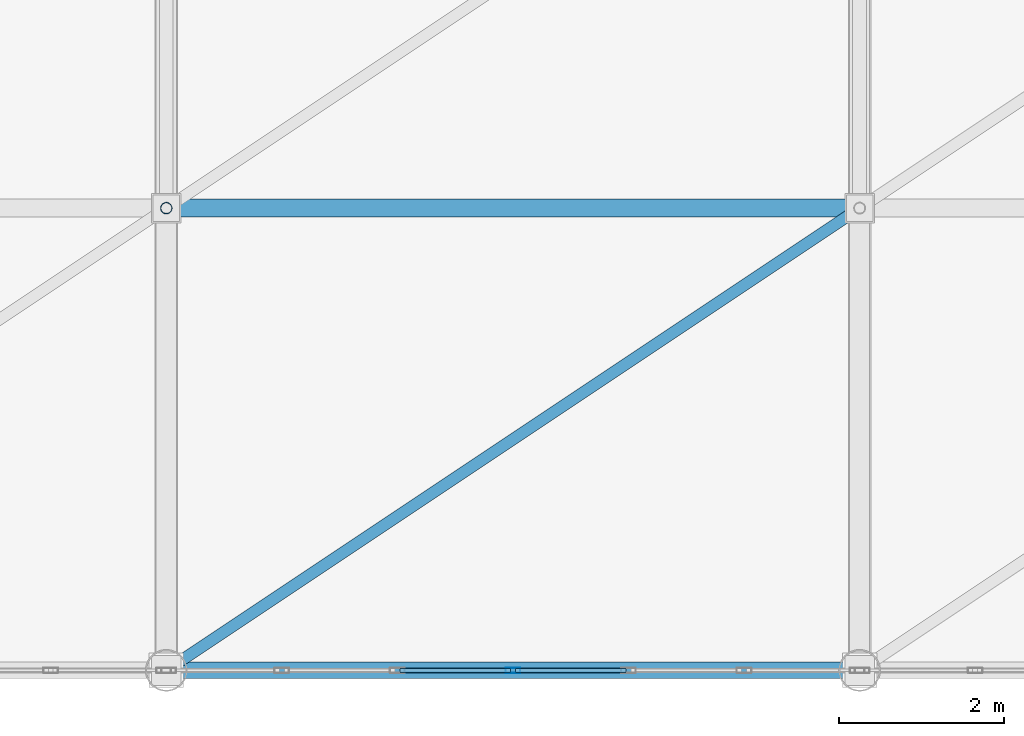
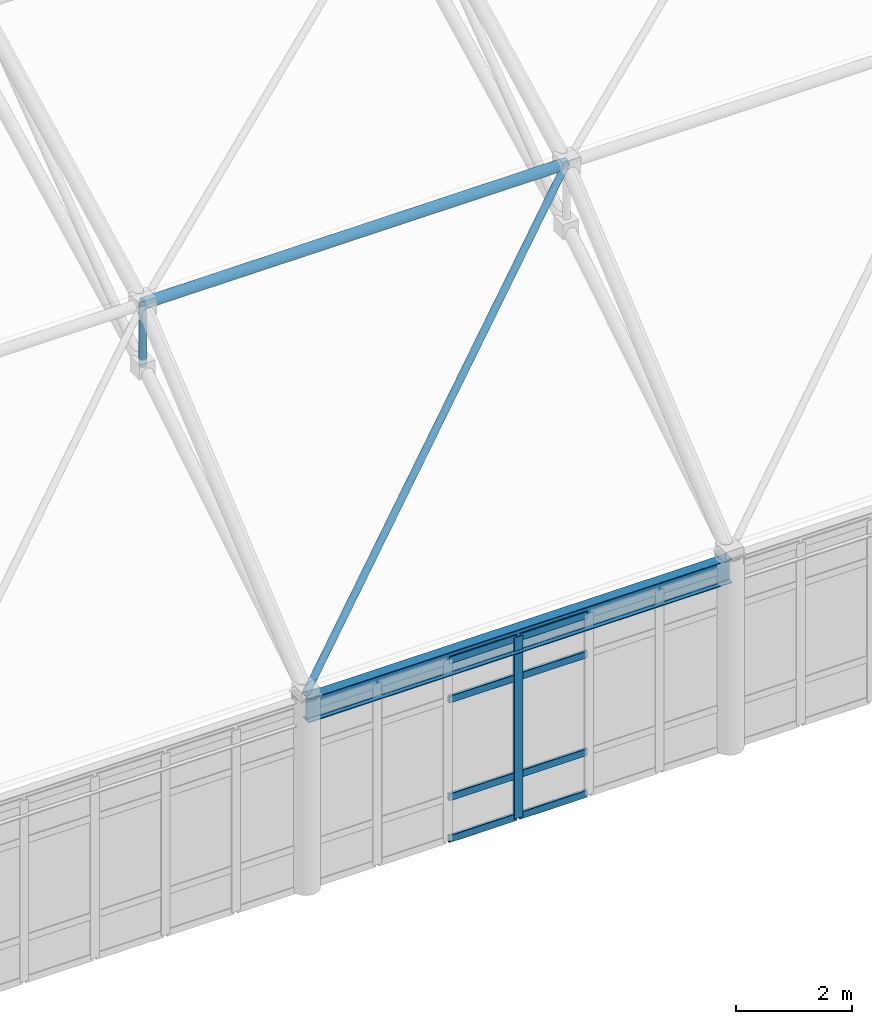
# One storey, part 34 of 184: 12 members, 1 beam, 1 element without a shape of its own.
"""IFC4 building model written with IfcOpenShell, lengths in metres."""

from ifc_helpers import new_model, si_unit, direction, frame, origin, origin_2d, place, context, subcontext, project, spatial, hollow_rectangle, hollow_circle, i_section, extrude, material, layer, layer_set, material_profile, profile_set, type_object, element, aggregate, save


model = new_model("IFC4")

# Units and contexts
model_context = context("Model", 3, precision=1e-05, world=origin(), true_north=direction((0.0, 1.0)))
body_context = subcontext(model_context, "Body", "Model", "MODEL_VIEW")
ifc_project = project(units=[si_unit("LENGTHUNIT", "METRE"), si_unit("AREAUNIT", "SQUARE_METRE"), si_unit("VOLUMEUNIT", "CUBIC_METRE"), si_unit("PLANEANGLEUNIT", "RADIAN"), si_unit("MASSUNIT", "GRAM", prefix="KILO")], contexts=[model_context])

# Site, building, storey
site_placement = place(None, origin())
site = spatial("IfcSite", under=ifc_project, at=site_placement, CompositionType="ELEMENT")
building_placement = place(site_placement, origin())
building = spatial("IfcBuilding", under=site, at=building_placement, Name="Qalvenar Corner Mobility Hub", CompositionType="ELEMENT")
storey_placement = place(building_placement, frame((0.0, 0.0, 9.0)))
storey = spatial("IfcBuildingStorey", under=building, at=storey_placement, Name="L02", CompositionType="ELEMENT", Elevation=9.0)

# Beam
ifc_material_1 = material(Name="Steel S355", Category="steel")
ifc_material_profile_1 = material_profile(ifc_material_1, i_section(OverallWidth=0.199951171875, OverallDepth=0.5, WebThickness=0.01025390625, FlangeThickness=0.01611328125, FilletRadius=0.02099609375, at=origin_2d()), Name="IPE500")
ifc_profile_set_1 = profile_set([ifc_material_profile_1], Name="Steel S355")
beam_type = type_object("IfcBeamType", Name="BM-IPE500", PredefinedType="BEAM", material=ifc_profile_set_1)
beam_placement = place(storey_placement, frame((58.800048828125, 0.0, 3.75), z_axis=(1.0, 0.0, 0.0), x_axis=(0.0, 1.0, 0.0)))
element("IfcBeam", 1, at=beam_placement, inside=storey, type_object=beam_type, Name="Space Frame Ring Beam SFRB-2-0", PredefinedType="BEAM", context=body_context, shape_type="SweptSolid", body=[
    extrude(i_section(OverallWidth=0.199951171875, OverallDepth=0.5, WebThickness=0.01025390625, FlangeThickness=0.01611328125, FilletRadius=0.02099609375, at=origin_2d()), origin(), (0.0, 0.0, 1.0), 8.39990234375),
])

# Curtain wall, members
ifc_material_2 = material(Name="Anodised Aluminium and Low-E Glazing", Category="aluminium")
ifc_layer = layer(ifc_material_2, 0.179931640625)
ifc_layer_set = layer_set([ifc_layer], Name="Anodised Aluminium and Low-E Glazing")
curtain_wall_type = type_object("IfcCurtainWallType", Name="CW-CONC-84X42", PredefinedType="NOTDEFINED", material=ifc_layer_set)
curtain_wall_placement = place(storey_placement, origin())
curtain_wall = element("IfcCurtainWall", 2, at=curtain_wall_placement, inside=storey, type_object=curtain_wall_type, Name="Glazed Curtain Wall CW-V1-L02-S1", PredefinedType="NOTDEFINED")
ifc_material_3 = material(Name="Anodised Aluminium 6063-T6", Category="aluminium")
ifc_material_profile_2 = material_profile(ifc_material_3, hollow_rectangle(XDim=0.06494140625, YDim=0.179931640625, WallThickness=0.00390625, InnerFilletRadius=0.00390625, OuterFilletRadius=0.008056640625, at=origin_2d()), Name="RHS180x65x4")
ifc_profile_set_2 = profile_set([ifc_material_profile_2], Name="Anodised Aluminium 6063-T6")
member_type_1 = type_object("IfcMemberType", Name="CW-MUL180", PredefinedType="MULLION", material=ifc_profile_set_2)
member_1_placement = place(storey_placement, frame((63.0, 0.0, 0.0), z_axis=(0.0, 0.0, 1.0), x_axis=(0.0, 1.0, 0.0)))
member_1 = element("IfcMember", 3, at=member_1_placement, type_object=member_type_1, Name="CW-02 mullion 4", PredefinedType="MULLION", context=body_context, shape_type="SweptSolid", body=[
    extrude(hollow_rectangle(XDim=0.06494140625, YDim=0.179931640625, WallThickness=0.00390625, InnerFilletRadius=0.00390625, OuterFilletRadius=0.008056640625, at=origin_2d()), origin(), (0.0, 0.0, 1.0), 3.800048828125),
])
ifc_material_profile_3 = material_profile(ifc_material_3, hollow_rectangle(XDim=0.06005859375, YDim=0.14990234375, WallThickness=0.00341796875, InnerFilletRadius=0.00341796875, OuterFilletRadius=0.007080078125, at=origin_2d()), Name="RHS150x60x3.5")
ifc_profile_set_3 = profile_set([ifc_material_profile_3], Name="Anodised Aluminium 6063-T6")
member_type_2 = type_object("IfcMemberType", Name="CW-TRN150", PredefinedType="USERDEFINED", material=ifc_profile_set_3)
member_2_placement = place(storey_placement, frame((61.6298828125, 0.0, 0.027587890625), z_axis=(1.0, 0.0, 0.0), x_axis=(0.0, 1.0, 0.0)))
member_2 = element("IfcMember", 4, at=member_2_placement, type_object=member_type_2, Name="CW-02 transom 3.1", ObjectType="TRANSOM", PredefinedType="USERDEFINED", context=body_context, shape_type="SweptSolid", body=[
    extrude(hollow_rectangle(XDim=0.06005859375, YDim=0.14990234375, WallThickness=0.00341796875, InnerFilletRadius=0.00341796875, OuterFilletRadius=0.007080078125, at=origin_2d()), origin(), (0.0, 0.0, 1.0), 1.340087890625),
])
member_3_placement = place(storey_placement, frame((61.6298828125, 0.0, 0.89990234375), z_axis=(1.0, 0.0, 0.0), x_axis=(0.0, 1.0, 0.0)))
member_3 = element("IfcMember", 5, at=member_3_placement, type_object=member_type_2, Name="CW-02 transom 3.2", ObjectType="TRANSOM", PredefinedType="USERDEFINED", context=body_context, shape_type="SweptSolid", body=[
    extrude(hollow_rectangle(XDim=0.06005859375, YDim=0.14990234375, WallThickness=0.00341796875, InnerFilletRadius=0.00341796875, OuterFilletRadius=0.007080078125, at=origin_2d()), origin(), (0.0, 0.0, 1.0), 1.340087890625),
])
member_4_placement = place(storey_placement, frame((61.6298828125, 0.0, 2.949951171875), z_axis=(1.0, 0.0, 0.0), x_axis=(0.0, 1.0, 0.0)))
member_4 = element("IfcMember", 6, at=member_4_placement, type_object=member_type_2, Name="CW-02 transom 3.3", ObjectType="TRANSOM", PredefinedType="USERDEFINED", context=body_context, shape_type="SweptSolid", body=[
    extrude(hollow_rectangle(XDim=0.06005859375, YDim=0.14990234375, WallThickness=0.00341796875, InnerFilletRadius=0.00341796875, OuterFilletRadius=0.007080078125, at=origin_2d()), origin(), (0.0, 0.0, 1.0), 1.340087890625),
])
member_5_placement = place(storey_placement, frame((61.6298828125, 0.0, 3.7724609375), z_axis=(1.0, 0.0, 0.0), x_axis=(0.0, 1.0, 0.0)))
member_5 = element("IfcMember", 7, at=member_5_placement, type_object=member_type_2, Name="CW-02 transom 3.4", ObjectType="TRANSOM", PredefinedType="USERDEFINED", context=body_context, shape_type="SweptSolid", body=[
    extrude(hollow_rectangle(XDim=0.06005859375, YDim=0.14990234375, WallThickness=0.00341796875, InnerFilletRadius=0.00341796875, OuterFilletRadius=0.007080078125, at=origin_2d()), origin(), (0.0, 0.0, 1.0), 1.340087890625),
])
member_6_placement = place(storey_placement, frame((63.030029296875, 0.0, 0.027587890625), z_axis=(1.0, 0.0, 0.0), x_axis=(0.0, 1.0, 0.0)))
member_6 = element("IfcMember", 8, at=member_6_placement, type_object=member_type_2, Name="CW-02 transom 4.1", ObjectType="TRANSOM", PredefinedType="USERDEFINED", context=body_context, shape_type="SweptSolid", body=[
    extrude(hollow_rectangle(XDim=0.06005859375, YDim=0.14990234375, WallThickness=0.00341796875, InnerFilletRadius=0.00341796875, OuterFilletRadius=0.007080078125, at=origin_2d()), origin(), (0.0, 0.0, 1.0), 1.340087890625),
])
member_7_placement = place(storey_placement, frame((63.030029296875, 0.0, 0.89990234375), z_axis=(1.0, 0.0, 0.0), x_axis=(0.0, 1.0, 0.0)))
member_7 = element("IfcMember", 9, at=member_7_placement, type_object=member_type_2, Name="CW-02 transom 4.2", ObjectType="TRANSOM", PredefinedType="USERDEFINED", context=body_context, shape_type="SweptSolid", body=[
    extrude(hollow_rectangle(XDim=0.06005859375, YDim=0.14990234375, WallThickness=0.00341796875, InnerFilletRadius=0.00341796875, OuterFilletRadius=0.007080078125, at=origin_2d()), origin(), (0.0, 0.0, 1.0), 1.340087890625),
])
member_8_placement = place(storey_placement, frame((63.030029296875, 0.0, 2.949951171875), z_axis=(1.0, 0.0, 0.0), x_axis=(0.0, 1.0, 0.0)))
member_8 = element("IfcMember", 10, at=member_8_placement, type_object=member_type_2, Name="CW-02 transom 4.3", ObjectType="TRANSOM", PredefinedType="USERDEFINED", context=body_context, shape_type="SweptSolid", body=[
    extrude(hollow_rectangle(XDim=0.06005859375, YDim=0.14990234375, WallThickness=0.00341796875, InnerFilletRadius=0.00341796875, OuterFilletRadius=0.007080078125, at=origin_2d()), origin(), (0.0, 0.0, 1.0), 1.340087890625),
])
member_9_placement = place(storey_placement, frame((63.030029296875, 0.0, 3.7724609375), z_axis=(1.0, 0.0, 0.0), x_axis=(0.0, 1.0, 0.0)))
member_9 = element("IfcMember", 11, at=member_9_placement, type_object=member_type_2, Name="CW-02 transom 4.4", ObjectType="TRANSOM", PredefinedType="USERDEFINED", context=body_context, shape_type="SweptSolid", body=[
    extrude(hollow_rectangle(XDim=0.06005859375, YDim=0.14990234375, WallThickness=0.00341796875, InnerFilletRadius=0.00341796875, OuterFilletRadius=0.007080078125, at=origin_2d()), origin(), (0.0, 0.0, 1.0), 1.340087890625),
])
aggregate(curtain_wall, [member_1, member_2, member_3, member_4, member_5, member_6, member_7, member_8, member_9])

# Members
ifc_material_4 = material(Name="Steel S355", Category="steel")
ifc_material_profile_4 = material_profile(ifc_material_4, hollow_circle(Radius=0.109619140625, WallThickness=0.008056640625, at=origin_2d()), Name="CHS219.1x8")
ifc_profile_set_4 = profile_set([ifc_material_profile_4], Name="Steel S355")
member_type_3 = type_object("IfcMemberType", Name="SF-CHD219", PredefinedType="CHORD", material=ifc_profile_set_4)
member_10_placement = place(storey_placement, frame((58.800048828125, 5.60009765625, 8.837890625), z_axis=(1.0, 0.0, 0.0), x_axis=(0.0, 1.0, 0.0)))
element("IfcMember", 12, at=member_10_placement, inside=storey, type_object=member_type_3, Name="Space Frame Longitudinal Chord SFL-0180", PredefinedType="CHORD", context=body_context, shape_type="SweptSolid", body=[
    extrude(hollow_circle(Radius=0.109619140625, WallThickness=0.008056640625, at=origin_2d()), origin(), (0.0, 0.0, 1.0), 8.39990234375),
])
ifc_material_profile_5 = material_profile(ifc_material_4, hollow_circle(Radius=0.06982421875, WallThickness=0.0048828125, at=origin_2d()), Name="CHS139.7x5")
ifc_profile_set_5 = profile_set([ifc_material_profile_5], Name="Steel S355")
member_type_4 = type_object("IfcMemberType", Name="SF-STR139", PredefinedType="STRUT", material=ifc_profile_set_5)
member_11_placement = place(storey_placement, frame((58.800048828125, 5.60009765625, 7.537841796875), z_axis=(0.0, 0.0, 1.0), x_axis=(1.0, 0.0, 0.0)))
element("IfcMember", 13, at=member_11_placement, inside=storey, type_object=member_type_4, Name="Space Frame King Strut SFV-0038", PredefinedType="STRUT", context=body_context, shape_type="SweptSolid", body=[
    extrude(hollow_circle(Radius=0.06982421875, WallThickness=0.0048828125, at=origin_2d()), origin(), (0.0, 0.0, 1.0), 1.300048828125),
])
member_12_placement = place(storey_placement, frame((58.800048828125, 0.0, 4.06005859375), z_axis=(0.752071189663, 0.50139536559, 0.427775189842), x_axis=(-0.554711357594, 0.832042853317, 0.0)))
element("IfcMember", 14, at=member_12_placement, inside=storey, type_object=member_type_4, Name="Space Frame Plan Strut SFP-0185", PredefinedType="STRUT", context=body_context, shape_type="SweptSolid", body=[
    extrude(hollow_circle(Radius=0.06982421875, WallThickness=0.0048828125, at=origin_2d()), origin(), (0.0, 0.0, 1.0), 11.1689453125),
])

save(model, "model.ifc")
